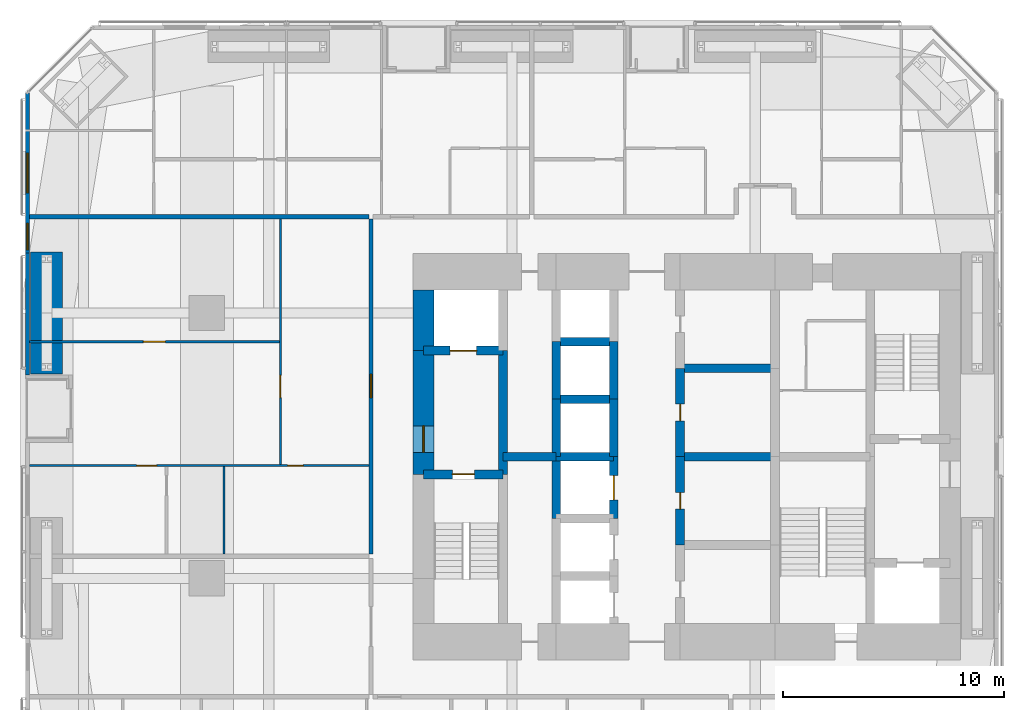
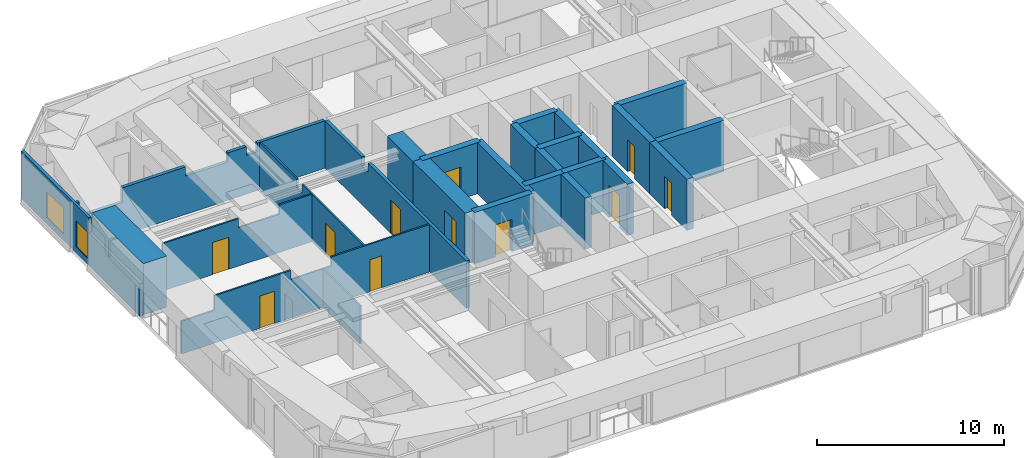
# One storey, part 17 of 22: 28 walls, 11 doors, 2 windows, 13 openings.
"""IFC4 building model written with IfcOpenShell, lengths in metres."""

from ifc_helpers import new_model, si_unit, direction, frame, frame_2d, origin, place, context, subcontext, project, spatial, polyline, rectangle, outline, extrude, material, layer, layer_set, constituent, constituent_set, type_object, element, fill, save


model = new_model("IFC4")

# Units and contexts
model_context = context("Model", 3, precision=1e-05, world=origin(), true_north=direction((0.0, 1.0)))
body_context = subcontext(model_context, "Body", "Model", "MODEL_VIEW")
ifc_project = project(units=[si_unit("LENGTHUNIT", "METRE"), si_unit("AREAUNIT", "SQUARE_METRE"), si_unit("VOLUMEUNIT", "CUBIC_METRE"), si_unit("PLANEANGLEUNIT", "RADIAN"), si_unit("MASSUNIT", "GRAM", prefix="KILO")], contexts=[model_context])

# Site, building, storey
site_placement = place(None, origin())
site = spatial("IfcSite", under=ifc_project, at=site_placement, CompositionType="ELEMENT")
building_placement = place(site_placement, origin())
building = spatial("IfcBuilding", under=site, at=building_placement, Name="Jalousie Tower", CompositionType="ELEMENT")
storey_placement = place(building_placement, frame((0.0, 0.0, 67.89990234375)))
storey = spatial("IfcBuildingStorey", under=building, at=storey_placement, Name="L18", CompositionType="ELEMENT", Elevation=67.89990234375)

# Walls
ifc_material_1 = material(Name="Concrete f'c 120 MPa", Category="concrete")
ifc_layer_1 = layer(ifc_material_1, 0.39990234375)
ifc_layer_set_1 = layer_set([ifc_layer_1], Name="Concrete f'c 120 MPa")
wall_type_1 = type_object("IfcWallType", Name="CORE WALL 400", PredefinedType="SHEAR", material=ifc_layer_set_1)
wall_1_placement = place(storey_placement, frame((23.60009765625, 17.699951171875, 0.0), z_axis=(0.0, 0.0, 1.0), x_axis=(0.0, 1.0, 0.0)))
element("IfcWall", 1, at=wall_1_placement, inside=storey, type_object=wall_type_1, Name="Core wall X23.6B L18", PredefinedType="SHEAR", context=body_context, shape_type="SweptSolid", body=[
    extrude(rectangle(XDim=5.60009765625, YDim=0.39990234375, at=frame_2d((2.800048828125, 0.0))), origin(), (0.0, 0.0, 1.0), 3.35009765625),
])
wall_2_placement = place(storey_placement, frame((26.0, 15.699951171875, 0.0), z_axis=(0.0, 0.0, 1.0), x_axis=(0.0, 1.0, 0.0)))
element("IfcWall", 2, at=wall_2_placement, inside=storey, type_object=wall_type_1, Name="Core wall X26C L18", PredefinedType="SHEAR", context=body_context, shape_type="SweptSolid", body=[
    extrude(rectangle(XDim=2.800048828125, YDim=0.39990234375, at=frame_2d((1.39990234375, 0.0))), origin(), (0.0, 0.0, 1.0), 3.35009765625),
])
wall_3_placement = place(storey_placement, frame((26.0, 18.5, 0.0), z_axis=(0.0, 0.0, 1.0), x_axis=(0.0, 1.0, 0.0)))
element("IfcWall", 3, at=wall_3_placement, inside=storey, type_object=wall_type_1, Name="Core wall X26D L18", PredefinedType="SHEAR", context=body_context, shape_type="SweptSolid", body=[
    extrude(rectangle(XDim=2.60009765625, YDim=0.39990234375, at=frame_2d((1.300048828125, 0.0))), origin(), (0.0, 0.0, 1.0), 3.35009765625),
])
wall_4_placement = place(storey_placement, frame((26.0, 21.10009765625, 0.0), z_axis=(0.0, 0.0, 1.0), x_axis=(0.0, 1.0, 0.0)))
element("IfcWall", 4, at=wall_4_placement, inside=storey, type_object=wall_type_1, Name="Core wall X26E L18", PredefinedType="SHEAR", context=body_context, shape_type="SweptSolid", body=[
    extrude(rectangle(XDim=2.599853515625, YDim=0.39990234375, at=frame_2d((1.2998046875, 0.0))), origin(), (0.0, 0.0, 1.0), 3.35009765625),
])

# Wall, opening, door
wall_5_placement = place(storey_placement, frame((28.60009765625, 15.699951171875, 0.0), z_axis=(0.0, 0.0, 1.0), x_axis=(0.0, 1.0, 0.0)))
wall_5 = element("IfcWall", 5, at=wall_5_placement, inside=storey, type_object=wall_type_1, Name="Core wall X28.6C L18", PredefinedType="SHEAR", context=body_context, shape_type="SweptSolid", body=[
    extrude(rectangle(XDim=2.800048828125, YDim=0.39990234375, at=frame_2d((1.39990234375, 0.0))), origin(), (0.0, 0.0, 1.0), 3.35009765625),
])
opening_1_placement = place(wall_5_placement, frame((0.85009765625, 0.0, 0.0)))
opening_1 = element("IfcOpeningElement", 6, at=opening_1_placement, cuts=wall_5, Name="Opening LD1", PredefinedType="OPENING", context=body_context, shape_type="SweptSolid", body=[
    extrude(rectangle(XDim=1.10009765625, YDim=2.10009765625, at=frame_2d((0.550048828125, 1.050048828125))), frame((0.0, 0.2099609375, 0.0), z_axis=(0.0, -1.0, 0.0), x_axis=(1.0, 0.0, 0.0)), (0.0, 0.0, 1.0), 0.419921875),
])
ifc_material_2 = material(Name="Steel lift landing door", Category="steel")
door_type_1 = type_object("IfcDoorType", Name="LIFT LANDING DOOR 1100", OperationType="SLIDING_TO_LEFT", PredefinedType="DOOR", material=ifc_material_2)
door_1_placement = place(opening_1_placement, origin())
door_1 = element("IfcDoor", 7, at=door_1_placement, inside=storey, type_object=door_type_1, Name="Lift P3 landing door", OperationType="SLIDING_TO_LEFT", OverallHeight=2.10009765625, OverallWidth=1.10009765625, PredefinedType="DOOR", context=body_context, shape_type="SweptSolid", body=[
    extrude(rectangle(XDim=1.10009765625, YDim=2.10009765625, at=frame_2d((0.550048828125, 1.050048828125))), frame((0.0, 0.02490234375, 0.0), z_axis=(0.0, -1.0, 0.0), x_axis=(1.0, 0.0, 0.0)), (0.0, 0.0, 1.0), 0.050048828125),
])
fill(opening_1, door_1)

# Walls
wall_6_placement = place(storey_placement, frame((28.60009765625, 18.5, 0.0), z_axis=(0.0, 0.0, 1.0), x_axis=(0.0, 1.0, 0.0)))
element("IfcWall", 8, at=wall_6_placement, inside=storey, type_object=wall_type_1, Name="Core wall X28.6D L18", PredefinedType="SHEAR", context=body_context, shape_type="SweptSolid", body=[
    extrude(rectangle(XDim=2.60009765625, YDim=0.39990234375, at=frame_2d((1.300048828125, 0.0))), origin(), (0.0, 0.0, 1.0), 3.35009765625),
])
wall_7_placement = place(storey_placement, frame((28.60009765625, 21.10009765625, 0.0), z_axis=(0.0, 0.0, 1.0), x_axis=(0.0, 1.0, 0.0)))
element("IfcWall", 9, at=wall_7_placement, inside=storey, type_object=wall_type_1, Name="Core wall X28.6E L18", PredefinedType="SHEAR", context=body_context, shape_type="SweptSolid", body=[
    extrude(rectangle(XDim=2.599853515625, YDim=0.39990234375, at=frame_2d((1.2998046875, 0.0))), origin(), (0.0, 0.0, 1.0), 3.35009765625),
])

# Wall, opening, door
wall_8_placement = place(storey_placement, frame((31.60009765625, 14.5, 0.0), z_axis=(0.0, 0.0, 1.0), x_axis=(0.0, 1.0, 0.0)))
wall_8 = element("IfcWall", 10, at=wall_8_placement, inside=storey, type_object=wall_type_1, Name="Core wall X31.6B L18", PredefinedType="SHEAR", context=body_context, shape_type="SweptSolid", body=[
    extrude(rectangle(XDim=4.0, YDim=0.39990234375, at=frame_2d((2.0, 0.0))), origin(), (0.0, 0.0, 1.0), 3.35009765625),
])
opening_2_placement = place(wall_8_placement, frame((1.625, 0.0, 0.0)))
opening_2 = element("IfcOpeningElement", 11, at=opening_2_placement, cuts=wall_8, Name="Opening D16", PredefinedType="OPENING", context=body_context, shape_type="SweptSolid", body=[
    extrude(rectangle(XDim=0.75, YDim=2.10009765625, at=frame_2d((0.375, 1.050048828125))), frame((0.0, 0.2099609375, 0.0), z_axis=(0.0, -1.0, 0.0), x_axis=(1.0, 0.0, 0.0)), (0.0, 0.0, 1.0), 0.419921875),
])
ifc_material_3 = material(Name="Steel fire door", Category="steel")
door_type_2 = type_object("IfcDoorType", Name="RISER DOOR 750", OperationType="SINGLE_SWING_LEFT", PredefinedType="DOOR", material=ifc_material_3)
door_2_placement = place(opening_2_placement, frame((0.75, 0.0, 0.0), z_axis=(0.0, 0.0, 1.0), x_axis=(-1.0, 0.0, 0.0)))
door_2 = element("IfcDoor", 12, at=door_2_placement, inside=storey, type_object=door_type_2, Name="Electrical Room door", OperationType="SINGLE_SWING_LEFT", OverallHeight=2.10009765625, OverallWidth=0.75, PredefinedType="DOOR", context=body_context, shape_type="SweptSolid", body=[
    extrude(rectangle(XDim=0.75, YDim=2.10009765625, at=frame_2d((0.375, 1.050048828125))), frame((0.0, 0.02490234375, 0.0), z_axis=(0.0, -1.0, 0.0), x_axis=(1.0, 0.0, 0.0)), (0.0, 0.0, 1.0), 0.050048828125),
])
fill(opening_2, door_2)

wall_9_placement = place(storey_placement, frame((31.60009765625, 18.5, 0.0), z_axis=(0.0, 0.0, 1.0), x_axis=(0.0, 1.0, 0.0)))
wall_9 = element("IfcWall", 13, at=wall_9_placement, inside=storey, type_object=wall_type_1, Name="Core wall X31.6C L18", PredefinedType="SHEAR", context=body_context, shape_type="SweptSolid", body=[
    extrude(rectangle(XDim=4.0, YDim=0.39990234375, at=frame_2d((2.0, 0.0))), origin(), (0.0, 0.0, 1.0), 3.35009765625),
])
opening_3_placement = place(wall_9_placement, frame((1.625, 0.0, 0.0)))
opening_3 = element("IfcOpeningElement", 14, at=opening_3_placement, cuts=wall_9, Name="Opening D16", PredefinedType="OPENING", context=body_context, shape_type="SweptSolid", body=[
    extrude(rectangle(XDim=0.75, YDim=2.10009765625, at=frame_2d((0.375, 1.050048828125))), frame((0.0, 0.2099609375, 0.0), z_axis=(0.0, -1.0, 0.0), x_axis=(1.0, 0.0, 0.0)), (0.0, 0.0, 1.0), 0.419921875),
])
door_3_placement = place(opening_3_placement, frame((0.75, 0.0, 0.0), z_axis=(0.0, 0.0, 1.0), x_axis=(-1.0, 0.0, 0.0)))
door_3 = element("IfcDoor", 15, at=door_3_placement, inside=storey, type_object=door_type_2, Name="Telecom Room door", OperationType="SINGLE_SWING_LEFT", OverallHeight=2.10009765625, OverallWidth=0.75, PredefinedType="DOOR", context=body_context, shape_type="SweptSolid", body=[
    extrude(rectangle(XDim=0.75, YDim=2.10009765625, at=frame_2d((0.375, 1.050048828125))), frame((0.0, 0.02490234375, 0.0), z_axis=(0.0, -1.0, 0.0), x_axis=(1.0, 0.0, 0.0)), (0.0, 0.0, 1.0), 0.050048828125),
])
fill(opening_3, door_3)

wall_10_placement = place(storey_placement, frame((20.0, 17.699951171875, 0.0), z_axis=(0.0, 0.0, 1.0), x_axis=(1.0, 0.0, 0.0)))
wall_10 = element("IfcWall", 16, at=wall_10_placement, inside=storey, type_object=wall_type_1, Name="Core wall Y20-17.7 L18", PredefinedType="SHEAR", context=body_context, shape_type="SweptSolid", body=[
    extrude(rectangle(XDim=3.60009765625, YDim=0.39990234375, at=frame_2d((1.800048828125, 0.0))), origin(), (0.0, 0.0, 1.0), 3.35009765625),
])
opening_4_placement = place(wall_10_placement, frame((1.300048828125, 0.0, 0.0)))
opening_4 = element("IfcOpeningElement", 17, at=opening_4_placement, cuts=wall_10, Name="Opening D10", PredefinedType="OPENING", context=body_context, shape_type="SweptSolid", body=[
    extrude(rectangle(XDim=1.0, YDim=2.10009765625, at=frame_2d((0.5, 1.050048828125))), frame((0.0, 0.2099609375, 0.0), z_axis=(0.0, -1.0, 0.0), x_axis=(1.0, 0.0, 0.0)), (0.0, 0.0, 1.0), 0.419921875),
])
ifc_material_4 = material(Name="Steel fire door", Category="steel")
door_type_3 = type_object("IfcDoorType", Name="STAIR DOOR 1000", OperationType="SINGLE_SWING_LEFT", PredefinedType="DOOR", material=ifc_material_4)
door_4_placement = place(opening_4_placement, frame((1.0, 0.0, 0.0), z_axis=(0.0, 0.0, 1.0), x_axis=(-1.0, 0.0, 0.0)))
door_4 = element("IfcDoor", 18, at=door_4_placement, inside=storey, type_object=door_type_3, Name="Exit stair A door", OperationType="SINGLE_SWING_RIGHT", OverallHeight=2.10009765625, OverallWidth=1.0, PredefinedType="DOOR", context=body_context, shape_type="SweptSolid", body=[
    extrude(rectangle(XDim=1.0, YDim=2.10009765625, at=frame_2d((0.5, 1.050048828125))), frame((0.0, 0.02490234375, 0.0), z_axis=(0.0, -1.0, 0.0), x_axis=(1.0, 0.0, 0.0)), (0.0, 0.0, 1.0), 0.050048828125),
])
fill(opening_4, door_4)

wall_11_placement = place(storey_placement, frame((20.0, 23.300048828125, 0.0), z_axis=(0.0, 0.0, 1.0), x_axis=(1.0, 0.0, 0.0)))
wall_11 = element("IfcWall", 19, at=wall_11_placement, inside=storey, type_object=wall_type_1, Name="Core wall Y20-23.3 L18", PredefinedType="SHEAR", context=body_context, shape_type="SweptSolid", body=[
    extrude(rectangle(XDim=3.60009765625, YDim=0.39990234375, at=frame_2d((1.800048828125, 0.0))), origin(), (0.0, 0.0, 1.0), 3.35009765625),
])
opening_5_placement = place(wall_11_placement, frame((1.199951171875, 0.0, 0.0)))
opening_5 = element("IfcOpeningElement", 20, at=opening_5_placement, cuts=wall_11, Name="Opening LD2", PredefinedType="OPENING", context=body_context, shape_type="SweptSolid", body=[
    extrude(rectangle(XDim=1.199951171875, YDim=2.10009765625, at=frame_2d((0.60009765625, 1.050048828125))), frame((0.0, 0.2099609375, 0.0), z_axis=(0.0, -1.0, 0.0), x_axis=(1.0, 0.0, 0.0)), (0.0, 0.0, 1.0), 0.419921875),
])
ifc_material_5 = material(Name="Steel lift landing door", Category="steel")
door_type_4 = type_object("IfcDoorType", Name="LIFT LANDING DOOR 1200", OperationType="SLIDING_TO_LEFT", PredefinedType="DOOR", material=ifc_material_5)
door_5_placement = place(opening_5_placement, origin())
door_5 = element("IfcDoor", 21, at=door_5_placement, inside=storey, type_object=door_type_4, Name="Lift F1 landing door", OperationType="SLIDING_TO_LEFT", OverallHeight=2.10009765625, OverallWidth=1.199951171875, PredefinedType="DOOR", context=body_context, shape_type="SweptSolid", body=[
    extrude(rectangle(XDim=1.199951171875, YDim=2.10009765625, at=frame_2d((0.60009765625, 1.050048828125))), frame((0.0, 0.02490234375, 0.0), z_axis=(0.0, -1.0, 0.0), x_axis=(1.0, 0.0, 0.0)), (0.0, 0.0, 1.0), 0.050048828125),
])
fill(opening_5, door_5)

# Walls
wall_12_placement = place(storey_placement, frame((23.60009765625, 18.5, 0.0), z_axis=(0.0, 0.0, 1.0), x_axis=(1.0, 0.0, 0.0)))
element("IfcWall", 22, at=wall_12_placement, inside=storey, type_object=wall_type_1, Name="Core wall Y23.6-18.5 L18", PredefinedType="SHEAR", context=body_context, shape_type="SweptSolid", body=[
    extrude(rectangle(XDim=2.39990234375, YDim=0.39990234375, at=frame_2d((1.199951171875, 0.0))), origin(), (0.0, 0.0, 1.0), 3.35009765625),
])
for number, where, z_axis, x_axis, name in (
    (23, (26.0, 18.5, 0.0), (0.0, 0.0, 1.0), (1.0, 0.0, 0.0), "Core wall Y26-18.5 L18"),
    (24, (26.0, 21.10009765625, 0.0), (0.0, 0.0, 1.0), (1.0, 0.0, 0.0), "Core wall Y26-21.1 L18"),
    (25, (26.0, 23.699951171875, 0.0), (0.0, 0.0, 1.0), (1.0, 0.0, 0.0), "Core wall Y26-23.7 L18"),
):
    element("IfcWall", number, at=place(storey_placement, frame(where, z_axis=z_axis, x_axis=x_axis)), inside=storey, type_object=wall_type_1, Name=name, PredefinedType="SHEAR", context=body_context, shape_type="SweptSolid", body=[
        extrude(rectangle(XDim=2.60009765625, YDim=0.39990234375, at=frame_2d((1.300048828125, 0.0))), origin(), (0.0, 0.0, 1.0), 3.35009765625),
    ])
for number, where, z_axis, x_axis, name in (
    (26, (31.60009765625, 18.5, 0.0), (0.0, 0.0, 1.0), (1.0, 0.0, 0.0), "Core wall Y31.6-18.5 L18"),
    (27, (31.60009765625, 22.5, 0.0), (0.0, 0.0, 1.0), (1.0, 0.0, 0.0), "Core wall Y31.6-22.5 L18"),
):
    element("IfcWall", number, at=place(storey_placement, frame(where, z_axis=z_axis, x_axis=x_axis)), inside=storey, type_object=wall_type_1, Name=name, PredefinedType="SHEAR", context=body_context, shape_type="SweptSolid", body=[
        extrude(rectangle(XDim=4.2998046875, YDim=0.39990234375, at=frame_2d((2.14990234375, 0.0))), origin(), (0.0, 0.0, 1.0), 3.35009765625),
    ])
ifc_material_6 = material(Name="Concrete f'c 120 MPa", Category="concrete")
ifc_layer_2 = layer(ifc_material_6, 0.949951171875)
ifc_layer_set_2 = layer_set([ifc_layer_2], Name="Concrete f'c 120 MPa")
wall_type_2 = type_object("IfcWallType", Name="CORE WALL 950", PredefinedType="SHEAR", material=ifc_layer_set_2)
wall_13_placement = place(storey_placement, frame((20.0, 26.050048828125, 0.0), z_axis=(0.0, 0.0, 1.0), x_axis=(0.0, -1.0, 0.0)))
element("IfcWall", 28, at=wall_13_placement, inside=storey, type_object=wall_type_2, Name="Core wall WA L18", PredefinedType="SHEAR", context=body_context, shape_type="SweptSolid", body=[
    extrude(rectangle(XDim=2.75, YDim=0.949951171875, at=frame_2d((1.375, 0.0))), origin(), (0.0, 0.0, 1.0), 3.35009765625),
])

# Wall, opening, door
wall_14_placement = place(storey_placement, frame((20.0, 23.300048828125, 0.0), z_axis=(0.0, 0.0, 1.0), x_axis=(0.0, -1.0, 0.0)))
wall_14 = element("IfcWall", 29, at=wall_14_placement, inside=storey, type_object=wall_type_2, Name="Core wall WB L18", PredefinedType="SHEAR", context=body_context, shape_type="SweptSolid", body=[
    extrude(rectangle(XDim=5.60009765625, YDim=0.949951171875, at=frame_2d((2.800048828125, 0.0))), origin(), (0.0, 0.0, 1.0), 3.35009765625),
])
opening_6_placement = place(wall_14_placement, frame((3.39990234375, 0.0, 0.0)))
opening_6 = element("IfcOpeningElement", 30, at=opening_6_placement, cuts=wall_14, Name="Opening D11", PredefinedType="OPENING", context=body_context, shape_type="SweptSolid", body=[
    extrude(rectangle(XDim=1.199951171875, YDim=2.199951171875, at=frame_2d((0.60009765625, 1.10009765625))), frame((0.0, 0.48486328125, 0.0), z_axis=(0.0, -1.0, 0.0), x_axis=(1.0, 0.0, 0.0)), (0.0, 0.0, 1.0), 0.969970703125),
])
ifc_material_7 = material(Name="Steel fire door", Category="steel")
door_type_5 = type_object("IfcDoorType", Name="FIRE DOOR 1200", OperationType="SINGLE_SWING_LEFT", PredefinedType="DOOR", material=ifc_material_7)
door_6_placement = place(opening_6_placement, origin())
door_6 = element("IfcDoor", 31, at=door_6_placement, inside=storey, type_object=door_type_5, Name="Fire-fighting lobby A door", OperationType="SINGLE_SWING_RIGHT", OverallHeight=2.199951171875, OverallWidth=1.199951171875, PredefinedType="DOOR", context=body_context, shape_type="SweptSolid", body=[
    extrude(rectangle(XDim=1.199951171875, YDim=2.199951171875, at=frame_2d((0.60009765625, 1.10009765625))), frame((0.0, 0.02490234375, 0.0), z_axis=(0.0, -1.0, 0.0), x_axis=(1.0, 0.0, 0.0)), (0.0, 0.0, 1.0), 0.050048828125),
])
fill(opening_6, door_6)

ifc_material_8 = material(Name="Concrete block ASTM C90", Category="concrete")
ifc_constituent_1 = constituent(ifc_material_8, Name="Body")
ifc_material_9 = material(Name="Render")
ifc_constituent_2 = constituent(ifc_material_9, Name="Finish")
ifc_constituent_set_1 = constituent_set(constituents=[ifc_constituent_1, ifc_constituent_2])
wall_type_3 = type_object("IfcWallType", Name="CORRIDOR WALL 200", PredefinedType="PARTITIONING", material=ifc_constituent_set_1)
wall_15_placement = place(storey_placement, frame((17.625, 14.10009765625, 0.0), z_axis=(0.0, 0.0, 1.0), x_axis=(0.0, 1.0, 0.0)))
wall_15 = element("IfcWall", 32, at=wall_15_placement, inside=storey, type_object=wall_type_3, Name="Corridor Wall 200 L18", PredefinedType="PARTITIONING", context=body_context, shape_type="SweptSolid", body=[
    extrude(outline(polyline([(0.0, 0.0), (15.14990234375, 0.0), (15.14990234375, 3.110107421875), (11.2373046875, 3.110107421875), (11.2373046875, 2.541015625), (10.5625, 2.541015625), (10.5625, 3.110107421875), (0.0, 3.110107421875), (0.0, 0.0)])), frame((0.0, 0.10009765625, 0.0), z_axis=(0.0, -1.0, 0.0), x_axis=(1.0, 0.0, 0.0)), (0.0, 0.0, 1.0), 0.199951171875),
])
opening_7_placement = place(wall_15_placement, frame((7.074951171875, 0.0, 0.0)))
opening_7 = element("IfcOpeningElement", 33, at=opening_7_placement, cuts=wall_15, Name="Opening D1", PredefinedType="OPENING", context=body_context, shape_type="SweptSolid", body=[
    extrude(rectangle(XDim=1.050048828125, YDim=2.199951171875, at=frame_2d((0.52490234375, 1.10009765625))), frame((0.0, 0.10986328125, 0.0), z_axis=(0.0, -1.0, 0.0), x_axis=(1.0, 0.0, 0.0)), (0.0, 0.0, 1.0), 0.219970703125),
])
ifc_material_10 = material(Name="Timber fire door", Category="wood")
door_type_6 = type_object("IfcDoorType", Name="APARTMENT ENTRANCE DOOR 1050", OperationType="SINGLE_SWING_LEFT", PredefinedType="DOOR", material=ifc_material_10)
door_7_placement = place(opening_7_placement, origin())
door_7 = element("IfcDoor", 34, at=door_7_placement, inside=storey, type_object=door_type_6, Name="Apartment 1805 entrance", OperationType="SINGLE_SWING_RIGHT", OverallHeight=2.199951171875, OverallWidth=1.050048828125, PredefinedType="DOOR", context=body_context, shape_type="SweptSolid", body=[
    extrude(rectangle(XDim=1.050048828125, YDim=2.199951171875, at=frame_2d((0.52490234375, 1.10009765625))), frame((0.0, 0.02490234375, 0.0), z_axis=(0.0, -1.0, 0.0), x_axis=(1.0, 0.0, 0.0)), (0.0, 0.0, 1.0), 0.050048828125),
])
fill(opening_7, door_7)

# Wall, openings, windows
ifc_material_11 = material(Name="Concrete f'c 40 MPa", Category="concrete")
ifc_constituent_3 = constituent(ifc_material_11, Name="Body")
ifc_material_12 = material(Name="Render, pastel coral")
ifc_constituent_4 = constituent(ifc_material_12, Name="Finish")
ifc_constituent_set_2 = constituent_set(constituents=[ifc_constituent_3, ifc_constituent_4])
wall_type_4 = type_object("IfcWallType", Name="EXTERNAL WALL 175 CORAL RENDER", PredefinedType="SOLIDWALL", material=ifc_constituent_set_2)
wall_16_placement = place(storey_placement, frame((2.08740234375, 34.94873046875, 0.0), z_axis=(0.0, 0.0, 1.0), x_axis=(0.0, -1.0, 0.0)))
wall_16 = element("IfcWall", 35, at=wall_16_placement, inside=storey, type_object=wall_type_4, Name="External Wall 175 Coral Render L18-A", PredefinedType="SOLIDWALL", context=body_context, shape_type="SweptSolid", body=[
    extrude(rectangle(XDim=7.231201171875, YDim=0.175048828125, at=frame_2d((3.61572265625, 0.0))), origin(), (0.0, 0.0, 1.0), 3.110107421875),
])
opening_8_placement = place(wall_16_placement, frame((2.72216796875, 0.0, 0.39990234375)))
opening_8 = element("IfcOpeningElement", 36, at=opening_8_placement, cuts=wall_16, Name="Opening W-BED170", PredefinedType="OPENING", context=body_context, shape_type="SweptSolid", body=[
    extrude(rectangle(XDim=1.800048828125, YDim=1.699951171875, at=frame_2d((0.89990234375, 0.85009765625))), frame((0.0, 0.097412109375, 0.0), z_axis=(0.0, -1.0, 0.0), x_axis=(1.0, 0.0, 0.0)), (0.0, 0.0, 1.0), 0.195068359375),
])
opening_9_placement = place(wall_16_placement, frame((5.898681640625, 0.0, 0.39990234375)))
opening_9 = element("IfcOpeningElement", 37, at=opening_9_placement, cuts=wall_16, Name="Opening W-COR170", PredefinedType="OPENING", context=body_context, shape_type="SweptSolid", body=[
    extrude(rectangle(XDim=1.199951171875, YDim=1.699951171875, at=frame_2d((0.60009765625, 0.85009765625))), frame((0.0, 0.097412109375, 0.0), z_axis=(0.0, -1.0, 0.0), x_axis=(1.0, 0.0, 0.0)), (0.0, 0.0, 1.0), 0.195068359375),
])
ifc_material_13 = material(Name="Aluminium frame, impact-rated glazing", Category="aluminium")
window_type_1 = type_object("IfcWindowType", Name="WINDOW BED 1800x1700", PartitioningType="SINGLE_PANEL", PredefinedType="WINDOW", material=ifc_material_13)
window_1_placement = place(opening_8_placement, origin())
window_1 = element("IfcWindow", 38, at=window_1_placement, inside=storey, type_object=window_type_1, Name="Apartment 1803 bedroom 1 window", OverallHeight=1.699951171875, OverallWidth=1.800048828125, PartitioningType="SINGLE_PANEL", PredefinedType="WINDOW", context=body_context, shape_type="SweptSolid", body=[
    extrude(rectangle(XDim=1.800048828125, YDim=1.699951171875, at=frame_2d((0.89990234375, 0.85009765625))), frame((0.0, 0.030029296875, 0.0), z_axis=(0.0, -1.0, 0.0), x_axis=(1.0, 0.0, 0.0)), (0.0, 0.0, 1.0), 0.06005859375),
])
fill(opening_8, window_1)
ifc_material_14 = material(Name="Aluminium frame, impact-rated glazing", Category="aluminium")
window_type_2 = type_object("IfcWindowType", Name="WINDOW COR 1200x1700", PartitioningType="SINGLE_PANEL", PredefinedType="WINDOW", material=ifc_material_14)
window_2_placement = place(opening_9_placement, origin())
window_2 = element("IfcWindow", 39, at=window_2_placement, inside=storey, type_object=window_type_2, Name="Apartment 1805 dining room window", OverallHeight=1.699951171875, OverallWidth=1.199951171875, PartitioningType="SINGLE_PANEL", PredefinedType="WINDOW", context=body_context, shape_type="SweptSolid", body=[
    extrude(rectangle(XDim=1.199951171875, YDim=1.699951171875, at=frame_2d((0.60009765625, 0.85009765625))), frame((0.0, 0.030029296875, 0.0), z_axis=(0.0, -1.0, 0.0), x_axis=(1.0, 0.0, 0.0)), (0.0, 0.0, 1.0), 0.06005859375),
])
fill(opening_9, window_2)

# Wall
wall_17_placement = place(storey_placement, frame((2.08740234375, 27.717529296875, 0.0), z_axis=(0.0, 0.0, 1.0), x_axis=(0.0, -1.0, 0.0)))
element("IfcWall", 40, at=wall_17_placement, inside=storey, type_object=wall_type_4, Name="External Wall 175 Coral Render L18-B", PredefinedType="SOLIDWALL", context=body_context, shape_type="SweptSolid", body=[
    extrude(rectangle(XDim=5.517578125, YDim=0.175048828125, at=frame_2d((2.7587890625, 0.0))), origin(), (0.0, 0.0, 1.0), 2.150146484375),
])

# Wall, openings, doors
ifc_material_15 = material(Name="Gypsum board", Category="gypsum")
ifc_constituent_5 = constituent(ifc_material_15, Name="Body")
ifc_material_16 = material(Name="Light-gauge steel studs ASTM A653 SS Grade 33", Category="steel")
ifc_constituent_6 = constituent(ifc_material_16, Name="Framing")
ifc_constituent_set_3 = constituent_set(constituents=[ifc_constituent_5, ifc_constituent_6])
wall_type_5 = type_object("IfcWallType", Name="PARTITION 100", PredefinedType="PARTITIONING", material=ifc_constituent_set_3)
wall_18_placement = place(storey_placement, frame((2.175048828125, 18.10009765625, 0.0), z_axis=(0.0, 0.0, 1.0), x_axis=(1.0, 0.0, 0.0)))
wall_18 = element("IfcWall", 41, at=wall_18_placement, inside=storey, type_object=wall_type_5, Name="Partition 100 L18", PredefinedType="PARTITIONING", context=body_context, shape_type="SweptSolid", body=[
    extrude(outline(polyline([(0.0, 0.0), (15.349853515625, 0.0), (15.35009765625, 3.110107421875), (9.284912109375, 3.110107421875), (9.284912109375, 2.510009765625), (6.764892578125, 2.510009765625), (6.764892578125, 3.110107421875), (2.034912109375, 3.110107421875), (2.034912109375, 2.150146484375), (0.0, 2.150146484375), (0.0, 3.110107421875), (0.0, 0.0)])), frame((0.0, 0.050048828125, 0.0), z_axis=(0.0, -1.0, 0.0), x_axis=(1.0, 0.0, 0.0)), (0.0, 0.0, 1.0), 0.10009765625),
])
opening_10_placement = place(wall_18_placement, frame((4.85009765625, 0.0, 0.0)))
opening_10 = element("IfcOpeningElement", 42, at=opening_10_placement, cuts=wall_18, Name="Opening D2", PredefinedType="OPENING", context=body_context, shape_type="SweptSolid", body=[
    extrude(rectangle(XDim=0.89990234375, YDim=2.10009765625, at=frame_2d((0.449951171875, 1.050048828125))), frame((0.0, 0.06005859375, 0.0), z_axis=(0.0, -1.0, 0.0), x_axis=(1.0, 0.0, 0.0)), (0.0, 0.0, 1.0), 0.1201171875),
])
opening_11_placement = place(wall_18_placement, frame((11.675048828125, 0.0, 0.0)))
opening_11 = element("IfcOpeningElement", 43, at=opening_11_placement, cuts=wall_18, Name="Opening D4", PredefinedType="OPENING", context=body_context, shape_type="SweptSolid", body=[
    extrude(rectangle(XDim=0.699951171875, YDim=2.10009765625, at=frame_2d((0.35009765625, 1.050048828125))), frame((0.0, 0.06005859375, 0.0), z_axis=(0.0, -1.0, 0.0), x_axis=(1.0, 0.0, 0.0)), (0.0, 0.0, 1.0), 0.1201171875),
])
ifc_material_17 = material(Name="Timber door", Category="wood")
door_type_7 = type_object("IfcDoorType", Name="BEDROOM DOOR 900", OperationType="SINGLE_SWING_LEFT", PredefinedType="DOOR", material=ifc_material_17)
door_8_placement = place(opening_10_placement, frame((0.89990234375, 0.0, 0.0), z_axis=(0.0, 0.0, 1.0), x_axis=(-1.0, 0.0, 0.0)))
door_8 = element("IfcDoor", 44, at=door_8_placement, inside=storey, type_object=door_type_7, Name="Apartment 1805 bedroom 1 door", OperationType="SINGLE_SWING_LEFT", OverallHeight=2.10009765625, OverallWidth=0.89990234375, PredefinedType="DOOR", context=body_context, shape_type="SweptSolid", body=[
    extrude(rectangle(XDim=0.89990234375, YDim=2.10009765625, at=frame_2d((0.449951171875, 1.050048828125))), frame((0.0, 0.02490234375, 0.0), z_axis=(0.0, -1.0, 0.0), x_axis=(1.0, 0.0, 0.0)), (0.0, 0.0, 1.0), 0.050048828125),
])
fill(opening_10, door_8)
ifc_material_18 = material(Name="Timber door", Category="wood")
door_type_8 = type_object("IfcDoorType", Name="STORE DOOR 700", OperationType="SINGLE_SWING_LEFT", PredefinedType="DOOR", material=ifc_material_18)
door_9_placement = place(opening_11_placement, frame((0.699951171875, 0.0, 0.0), z_axis=(0.0, 0.0, 1.0), x_axis=(-1.0, 0.0, 0.0)))
door_9 = element("IfcDoor", 45, at=door_9_placement, inside=storey, type_object=door_type_8, Name="Apartment 1805 store door", OperationType="SINGLE_SWING_RIGHT", OverallHeight=2.10009765625, OverallWidth=0.699951171875, PredefinedType="DOOR", context=body_context, shape_type="SweptSolid", body=[
    extrude(rectangle(XDim=0.699951171875, YDim=2.10009765625, at=frame_2d((0.35009765625, 1.050048828125))), frame((0.0, 0.02490234375, 0.0), z_axis=(0.0, -1.0, 0.0), x_axis=(1.0, 0.0, 0.0)), (0.0, 0.0, 1.0), 0.050048828125),
])
fill(opening_11, door_9)

# Wall
wall_19_placement = place(storey_placement, frame((10.97509765625, 14.10009765625, 0.0), z_axis=(0.0, 0.0, 1.0), x_axis=(0.0, 1.0, 0.0)))
element("IfcWall", 46, at=wall_19_placement, inside=storey, type_object=wall_type_5, Name="Partition 100 L18", PredefinedType="PARTITIONING", context=body_context, shape_type="SweptSolid", body=[
    extrude(outline(polyline([(0.0, 0.0), (3.949951171875, 0.0), (3.949951171875, 3.110107421875), (3.949951171875, 2.510009765625), (0.0, 2.510009765625), (0.0, 3.110107421875), (0.0, 0.0)])), frame((0.0, 0.050048828125, 0.0), z_axis=(0.0, -1.0, 0.0), x_axis=(1.0, 0.0, 0.0)), (0.0, 0.0, 1.0), 0.10009765625),
])

# Wall, opening, door
wall_20_placement = place(storey_placement, frame((13.52490234375, 18.14990234375, 0.0), z_axis=(0.0, 0.0, 1.0), x_axis=(0.0, 1.0, 0.0)))
wall_20 = element("IfcWall", 47, at=wall_20_placement, inside=storey, type_object=wall_type_5, Name="Partition 100 L18", PredefinedType="PARTITIONING", context=body_context, shape_type="SweptSolid", body=[
    extrude(outline(polyline([(0.0, 0.0), (11.10009765625, 0.0), (11.10009765625, 3.110107421875), (7.137451171875, 3.110107421875), (7.137451171875, 2.541015625), (6.562744140625, 2.541015625), (6.562744140625, 3.110107421875), (0.0, 3.110107421875), (0.0, 0.0)])), frame((0.0, 0.050048828125, 0.0), z_axis=(0.0, -1.0, 0.0), x_axis=(1.0, 0.0, 0.0)), (0.0, 0.0, 1.0), 0.10009765625),
])
opening_12_placement = place(wall_20_placement, frame((3.02490234375, 0.0, 0.0)))
opening_12 = element("IfcOpeningElement", 48, at=opening_12_placement, cuts=wall_20, Name="Opening D6", PredefinedType="OPENING", context=body_context, shape_type="SweptSolid", body=[
    extrude(rectangle(XDim=1.0, YDim=2.10009765625, at=frame_2d((0.5, 1.050048828125))), frame((0.0, 0.06005859375, 0.0), z_axis=(0.0, -1.0, 0.0), x_axis=(1.0, 0.0, 0.0)), (0.0, 0.0, 1.0), 0.1201171875),
])
ifc_material_19 = material(Name="Timber door", Category="wood")
door_type_9 = type_object("IfcDoorType", Name="INTERNAL DOOR 1000", OperationType="SINGLE_SWING_LEFT", PredefinedType="DOOR", material=ifc_material_19)
door_10_placement = place(opening_12_placement, origin())
door_10 = element("IfcDoor", 49, at=door_10_placement, inside=storey, type_object=door_type_9, Name="Apartment 1805 living room door", OperationType="SINGLE_SWING_RIGHT", OverallHeight=2.10009765625, OverallWidth=1.0, PredefinedType="DOOR", context=body_context, shape_type="SweptSolid", body=[
    extrude(rectangle(XDim=1.0, YDim=2.10009765625, at=frame_2d((0.5, 1.050048828125))), frame((0.0, 0.02490234375, 0.0), z_axis=(0.0, -1.0, 0.0), x_axis=(1.0, 0.0, 0.0)), (0.0, 0.0, 1.0), 0.050048828125),
])
fill(opening_12, door_10)

wall_21_placement = place(storey_placement, frame((2.175048828125, 23.699951171875, 0.0), z_axis=(0.0, 0.0, 1.0), x_axis=(1.0, 0.0, 0.0)))
wall_21 = element("IfcWall", 50, at=wall_21_placement, inside=storey, type_object=wall_type_5, Name="Partition 100 L18", PredefinedType="PARTITIONING", context=body_context, shape_type="SweptSolid", body=[
    extrude(outline(polyline([(0.52880859375, 2.150146484375), (0.0, 2.150146484375), (0.0, 0.0), (0.52880859375, 0.0), (0.52880859375, 0.581298828125), (1.021240234375, 0.581298828125), (1.021240234375, 0.0), (11.300048828125, 0.0), (11.300048828125, 3.110107421875), (9.284912109375, 3.110107421875), (9.284912109375, 2.510009765625), (6.764892578125, 2.510009765625), (6.764892578125, 3.110107421875), (2.034912109375, 3.110107421875), (2.034912109375, 2.150146484375), (1.021240234375, 2.150146484375), (1.021240234375, 1.56884765625), (0.52880859375, 1.56884765625), (0.52880859375, 2.150146484375)])), frame((0.0, 0.050048828125, 0.0), z_axis=(0.0, -1.0, 0.0), x_axis=(1.0, 0.0, 0.0)), (0.0, 0.0, 1.0), 0.10009765625),
])
opening_13_placement = place(wall_21_placement, frame((5.14990234375, 0.0, 0.0)))
opening_13 = element("IfcOpeningElement", 51, at=opening_13_placement, cuts=wall_21, Name="Opening D6", PredefinedType="OPENING", context=body_context, shape_type="SweptSolid", body=[
    extrude(rectangle(XDim=1.0, YDim=2.10009765625, at=frame_2d((0.5, 1.050048828125))), frame((0.0, 0.06005859375, 0.0), z_axis=(0.0, -1.0, 0.0), x_axis=(1.0, 0.0, 0.0)), (0.0, 0.0, 1.0), 0.1201171875),
])
door_11_placement = place(opening_13_placement, origin())
door_11 = element("IfcDoor", 52, at=door_11_placement, inside=storey, type_object=door_type_9, Name="Apartment 1805 dining room door", OperationType="SINGLE_SWING_LEFT", OverallHeight=2.10009765625, OverallWidth=1.0, PredefinedType="DOOR", context=body_context, shape_type="SweptSolid", body=[
    extrude(rectangle(XDim=1.0, YDim=2.10009765625, at=frame_2d((0.5, 1.050048828125))), frame((0.0, 0.02490234375, 0.0), z_axis=(0.0, -1.0, 0.0), x_axis=(1.0, 0.0, 0.0)), (0.0, 0.0, 1.0), 0.050048828125),
])
fill(opening_13, door_11)

# Walls
ifc_material_20 = material(Name="Concrete block ASTM C90", Category="concrete")
ifc_constituent_7 = constituent(ifc_material_20, Name="Body")
ifc_material_21 = material(Name="Render")
ifc_constituent_8 = constituent(ifc_material_21, Name="Finish")
ifc_constituent_set_4 = constituent_set(constituents=[ifc_constituent_7, ifc_constituent_8])
wall_type_6 = type_object("IfcWallType", Name="PARTY WALL 200", PredefinedType="PARTITIONING", material=ifc_constituent_set_4)
wall_22_placement = place(storey_placement, frame((2.0, 29.35009765625, 0.0), z_axis=(0.0, 0.0, 1.0), x_axis=(1.0, 0.0, 0.0)))
element("IfcWall", 53, at=wall_22_placement, inside=storey, type_object=wall_type_6, Name="Party Wall 200 L18", PredefinedType="PARTITIONING", context=body_context, shape_type="SweptSolid", body=[
    extrude(outline(polyline([(0.0, 0.0), (15.52490234375, 0.0), (15.52490234375, 3.110107421875), (11.33740234375, 3.110107421875), (11.33740234375, 2.541015625), (10.66259765625, 2.541015625), (10.66259765625, 3.110107421875), (9.510009765625, 3.110107421875), (9.510009765625, 2.510009765625), (6.889892578125, 2.510009765625), (6.889892578125, 3.110107421875), (2.982421875, 3.110107421875), (2.982421875, 2.150146484375), (0.328369140625, 2.150146484375), (0.328369140625, 3.110107421875), (0.0, 3.110107421875), (0.0, 0.0)])), frame((0.0, 0.10009765625, 0.0), z_axis=(0.0, -1.0, 0.0), x_axis=(1.0, 0.0, 0.0)), (0.0, 0.0, 1.0), 0.199951171875),
])
ifc_material_22 = material(Name="Concrete f'c 120 MPa", Category="concrete")
ifc_layer_3 = layer(ifc_material_22, 1.449951171875)
ifc_layer_set_3 = layer_set([ifc_layer_3], Name="Concrete f'c 120 MPa")
wall_type_7 = type_object("IfcWallType", Name="RC WALL PIER 1450", PredefinedType="SHEAR", material=ifc_layer_set_3)
wall_23_placement = place(storey_placement, frame((2.949951171875, 22.25, 0.0), z_axis=(0.0, 0.0, 1.0), x_axis=(0.0, 1.0, 0.0)))
element("IfcWall", 54, at=wall_23_placement, inside=storey, type_object=wall_type_7, Name="Wall pier 13 L18", PredefinedType="SHEAR", context=body_context, shape_type="SweptSolid", body=[
    extrude(rectangle(XDim=5.5, YDim=1.449951171875, at=frame_2d((2.75, 0.0))), origin(), (0.0, 0.0, 1.0), 3.35009765625),
])

save(model, "model.ifc")
